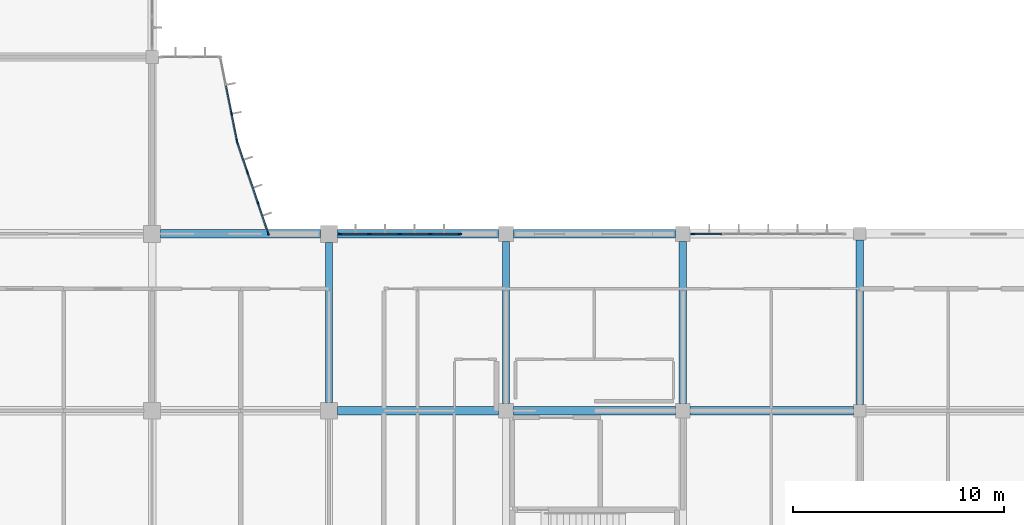
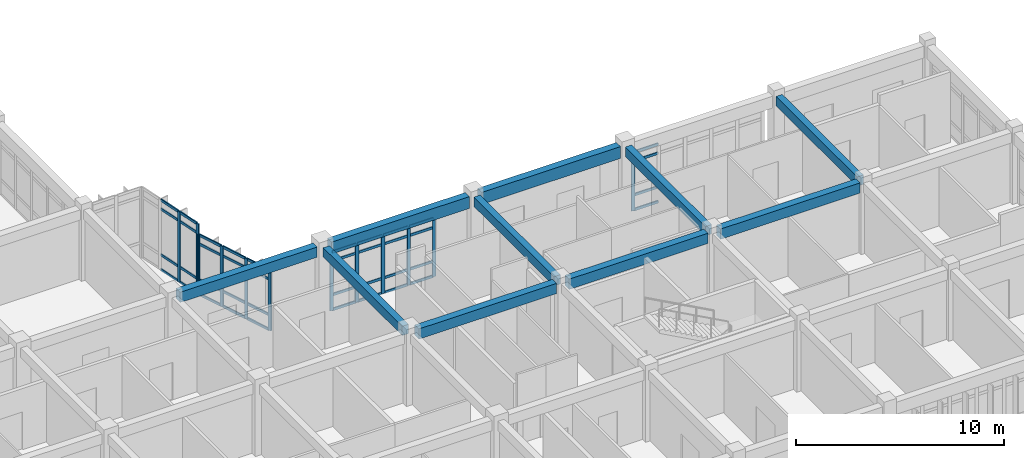
# One storey, part 59 of 144: 52 members, 10 beams, 4 elements without a shape of their own.
"""IFC4 building model written with IfcOpenShell, lengths in metres."""

from ifc_helpers import new_model, si_unit, direction, frame, origin, origin_2d, place, context, subcontext, project, spatial, rectangle, extrude, material, layer, layer_set, material_profile, profile_set, type_object, element, aggregate, save


model = new_model("IFC4")

# Units and contexts
model_context = context("Model", 3, precision=1e-05, world=origin(), true_north=direction((0.0, 1.0)))
body_context = subcontext(model_context, "Body", "Model", "MODEL_VIEW")
ifc_project = project(units=[si_unit("LENGTHUNIT", "METRE"), si_unit("AREAUNIT", "SQUARE_METRE"), si_unit("VOLUMEUNIT", "CUBIC_METRE"), si_unit("PLANEANGLEUNIT", "RADIAN"), si_unit("MASSUNIT", "GRAM", prefix="KILO")], contexts=[model_context])

# Site, building, storey
site_placement = place(None, origin())
site = spatial("IfcSite", under=ifc_project, at=site_placement, CompositionType="ELEMENT")
building_placement = place(site_placement, origin())
building = spatial("IfcBuilding", under=site, at=building_placement, Name="Bramfleet General Hospital", CompositionType="ELEMENT")
storey_placement = place(building_placement, frame((0.0, 0.0, 4.800048828125)))
storey = spatial("IfcBuildingStorey", under=building, at=storey_placement, Name="L01", CompositionType="ELEMENT", Elevation=4.800048828125)

# Beams
ifc_material_1 = material(Name="Concrete C35/45", Category="concrete")
ifc_material_profile_1 = material_profile(ifc_material_1, rectangle(XDim=0.35009765625, YDim=0.550048828125, at=origin_2d()), Name="RC BM 550x350")
ifc_profile_set_1 = profile_set([ifc_material_profile_1], Name="Concrete C35/45")
beam_type_1 = type_object("IfcBeamType", Name="BM-RC550", PredefinedType="BEAM", material=ifc_profile_set_1)
beam_1_placement = place(storey_placement, frame((134.39990234375, 17.199951171875, 3.875), z_axis=(0.0, 1.0, 0.0), x_axis=(-1.0, 0.0, 0.0)))
element("IfcBeam", 1, at=beam_1_placement, inside=storey, type_object=beam_type_1, Name="L01 Grid Beam Y 16-02", PredefinedType="BEAM", context=body_context, shape_type="SweptSolid", body=[
    extrude(rectangle(XDim=0.35009765625, YDim=0.550048828125, at=origin_2d()), origin(), (0.0, 0.0, 1.0), 7.60009765625),
])
for number, where, z_axis, x_axis, name in (
    (2, (142.800048828125, 17.14990234375, 3.875), (0.0, 1.0, 0.0), (-1.0, 0.0, 0.0), "L01 Grid Beam Y 17-02"),
    (3, (151.199951171875, 17.14990234375, 3.875), (0.0, 1.0, 0.0), (-1.0, 0.0, 0.0), "L01 Grid Beam Y 18-02"),
):
    element("IfcBeam", number, at=place(storey_placement, frame(where, z_axis=z_axis, x_axis=x_axis)), inside=storey, type_object=beam_type_1, Name=name, PredefinedType="BEAM", context=body_context, shape_type="SweptSolid", body=[
        extrude(rectangle(XDim=0.35009765625, YDim=0.550048828125, at=origin_2d()), origin(), (0.0, 0.0, 1.0), 7.7001953125),
    ])
beam_2_placement = place(storey_placement, frame((159.60009765625, 17.10009765625, 3.875), z_axis=(0.0, 1.0, 0.0), x_axis=(-1.0, 0.0, 0.0)))
element("IfcBeam", 4, at=beam_2_placement, inside=storey, type_object=beam_type_1, Name="L01 Grid Beam Y 19-02", PredefinedType="BEAM", context=body_context, shape_type="SweptSolid", body=[
    extrude(rectangle(XDim=0.35009765625, YDim=0.550048828125, at=origin_2d()), origin(), (0.0, 0.0, 1.0), 7.7998046875),
])
ifc_material_profile_2 = material_profile(ifc_material_1, rectangle(XDim=0.39990234375, YDim=0.60009765625, at=origin_2d()), Name="RC BM 600x400")
ifc_profile_set_2 = profile_set([ifc_material_profile_2], Name="Concrete C35/45")
beam_type_2 = type_object("IfcBeamType", Name="BM-RC600", PredefinedType="BEAM", material=ifc_profile_set_2)
beam_3_placement = place(storey_placement, frame((126.39990234375, 25.199951171875, 3.849853515625), z_axis=(1.0, 0.0, 0.0), x_axis=(0.0, 1.0, 0.0)))
element("IfcBeam", 5, at=beam_3_placement, inside=storey, type_object=beam_type_2, Name="L01 Grid Beam X 15-03", PredefinedType="BEAM", context=body_context, shape_type="SweptSolid", body=[
    extrude(rectangle(XDim=0.39990234375, YDim=0.60009765625, at=origin_2d()), origin(), (0.0, 0.0, 1.0), 7.60009765625),
])
beam_4_placement = place(storey_placement, frame((134.800048828125, 16.800048828125, 3.849853515625), z_axis=(1.0, 0.0, 0.0), x_axis=(0.0, 1.0, 0.0)))
element("IfcBeam", 6, at=beam_4_placement, inside=storey, type_object=beam_type_2, Name="L01 Grid Beam X 16-02", PredefinedType="BEAM", context=body_context, shape_type="SweptSolid", body=[
    extrude(rectangle(XDim=0.39990234375, YDim=0.60009765625, at=origin_2d()), origin(), (0.0, 0.0, 1.0), 7.64990234375),
])
beam_5_placement = place(storey_placement, frame((143.14990234375, 16.800048828125, 3.849853515625), z_axis=(1.0, 0.0, 0.0), x_axis=(0.0, 1.0, 0.0)))
element("IfcBeam", 7, at=beam_5_placement, inside=storey, type_object=beam_type_2, Name="L01 Grid Beam X 17-02", PredefinedType="BEAM", context=body_context, shape_type="SweptSolid", body=[
    extrude(rectangle(XDim=0.39990234375, YDim=0.60009765625, at=origin_2d()), origin(), (0.0, 0.0, 1.0), 7.7001953125),
])
beam_6_placement = place(storey_placement, frame((151.550048828125, 16.800048828125, 3.849853515625), z_axis=(1.0, 0.0, 0.0), x_axis=(0.0, 1.0, 0.0)))
element("IfcBeam", 8, at=beam_6_placement, inside=storey, type_object=beam_type_2, Name="L01 Grid Beam X 18-02", PredefinedType="BEAM", context=body_context, shape_type="SweptSolid", body=[
    extrude(rectangle(XDim=0.39990234375, YDim=0.60009765625, at=origin_2d()), origin(), (0.0, 0.0, 1.0), 7.75),
])
ifc_material_profile_3 = material_profile(ifc_material_1, rectangle(XDim=0.39990234375, YDim=0.699951171875, at=origin_2d()), Name="RC SP 700x400")
ifc_profile_set_3 = profile_set([ifc_material_profile_3], Name="Concrete C35/45")
beam_type_3 = type_object("IfcBeamType", Name="BM-SP700", PredefinedType="SPANDREL", material=ifc_profile_set_3)
beam_7_placement = place(storey_placement, frame((134.800048828125, 25.199951171875, 3.800048828125), z_axis=(1.0, 0.0, 0.0), x_axis=(0.0, 1.0, 0.0)))
element("IfcBeam", 9, at=beam_7_placement, inside=storey, type_object=beam_type_3, Name="L01 Grid Beam X 16-03", PredefinedType="SPANDREL", context=body_context, shape_type="SweptSolid", body=[
    extrude(rectangle(XDim=0.39990234375, YDim=0.699951171875, at=origin_2d()), origin(), (0.0, 0.0, 1.0), 7.64990234375),
])
beam_8_placement = place(storey_placement, frame((143.14990234375, 25.199951171875, 3.800048828125), z_axis=(1.0, 0.0, 0.0), x_axis=(0.0, 1.0, 0.0)))
element("IfcBeam", 10, at=beam_8_placement, inside=storey, type_object=beam_type_3, Name="L01 Grid Beam X 17-03", PredefinedType="SPANDREL", context=body_context, shape_type="SweptSolid", body=[
    extrude(rectangle(XDim=0.39990234375, YDim=0.699951171875, at=origin_2d()), origin(), (0.0, 0.0, 1.0), 7.7001953125),
])

# Curtain wall, members
ifc_material_2 = material(Name="Anodised aluminium and low-E triple glazing", Category="aluminium")
ifc_layer_1 = layer(ifc_material_2, 0.179931640625, Name="CWT-CW-12")
ifc_layer_set_1 = layer_set([ifc_layer_1], Name="Anodised aluminium and low-E triple glazing")
curtain_wall_type_1 = type_object("IfcCurtainWallType", Name="CWT-CW-12", PredefinedType="USERDEFINED", material=ifc_layer_set_1)
curtain_wall_1_placement = place(storey_placement, origin())
curtain_wall_1 = element("IfcCurtainWall", 11, at=curtain_wall_1_placement, inside=storey, type_object=curtain_wall_type_1, Name="L01 Curtain Wall 66", ObjectType="Stick curtain wall", PredefinedType="USERDEFINED")
ifc_material_3 = material(Name="Structural timber GL28h", Category="wood")
ifc_material_profile_4 = material_profile(ifc_material_3, rectangle(XDim=0.070068359375, YDim=0.18994140625, at=origin_2d()), Name="LARCH 190x70")
ifc_profile_set_4 = profile_set([ifc_material_profile_4], Name="Structural timber GL28h")
member_type_1 = type_object("IfcMemberType", Name="CWM-LARCH450", PredefinedType="MULLION", material=ifc_profile_set_4)
member_1_placement = place(storey_placement, frame((129.76904296875, 30.91796875, 0.0), z_axis=(0.0, 0.0, 1.0), x_axis=(0.980749087161, 0.195272189606, 0.0)))
member_1 = element("IfcMember", 12, at=member_1_placement, type_object=member_type_1, Name="CW-12 mullion 3", PredefinedType="MULLION", context=body_context, shape_type="SweptSolid", body=[
    extrude(rectangle(XDim=0.070068359375, YDim=0.18994140625, at=origin_2d()), origin(), (0.0, 0.0, 1.0), 4.139892578125),
])
member_2_placement = place(storey_placement, frame((130.029052734375, 29.611328125, 0.0), z_axis=(0.0, 0.0, 1.0), x_axis=(0.980749087161, 0.195272189606, 0.0)))
member_2 = element("IfcMember", 13, at=member_2_placement, type_object=member_type_1, Name="CW-12 mullion 4", PredefinedType="MULLION", context=body_context, shape_type="SweptSolid", body=[
    extrude(rectangle(XDim=0.070068359375, YDim=0.18994140625, at=origin_2d()), origin(), (0.0, 0.0, 1.0), 4.139892578125),
])

ifc_layer_2 = layer(ifc_material_2, 0.179931640625, Name="CWT-CW-13")
ifc_layer_set_2 = layer_set([ifc_layer_2], Name="Anodised aluminium and low-E triple glazing")
curtain_wall_type_2 = type_object("IfcCurtainWallType", Name="CWT-CW-13", PredefinedType="USERDEFINED", material=ifc_layer_set_2)
curtain_wall_2_placement = place(storey_placement, origin())
curtain_wall_2 = element("IfcCurtainWall", 14, at=curtain_wall_2_placement, inside=storey, type_object=curtain_wall_type_2, Name="L01 Curtain Wall 67", ObjectType="Stick curtain wall", PredefinedType="USERDEFINED")
member_3_placement = place(storey_placement, frame((130.04736328125, 29.5439453125, 0.0), z_axis=(0.0, 0.0, 1.0), x_axis=(0.94698222676, 0.321285950829, 0.0)))
member_3 = element("IfcMember", 15, at=member_3_placement, type_object=member_type_1, Name="CW-13 mullion 1", PredefinedType="MULLION", context=body_context, shape_type="SweptSolid", body=[
    extrude(rectangle(XDim=0.070068359375, YDim=0.18994140625, at=origin_2d()), origin(), (0.0, 0.0, 1.0), 3.5400390625),
])
member_4_placement = place(storey_placement, frame((130.531005859375, 28.117919921875, 0.0), z_axis=(0.0, 0.0, 1.0), x_axis=(0.94698222676, 0.321285950829, 0.0)))
member_4 = element("IfcMember", 16, at=member_4_placement, type_object=member_type_1, Name="CW-13 mullion 2", PredefinedType="MULLION", context=body_context, shape_type="SweptSolid", body=[
    extrude(rectangle(XDim=0.070068359375, YDim=0.18994140625, at=origin_2d()), origin(), (0.0, 0.0, 1.0), 3.5400390625),
])
member_5_placement = place(storey_placement, frame((131.02587890625, 26.658935546875, 0.0), z_axis=(0.0, 0.0, 1.0), x_axis=(0.94698222676, 0.321285950829, 0.0)))
member_5 = element("IfcMember", 17, at=member_5_placement, type_object=member_type_1, Name="CW-13 mullion 3", PredefinedType="MULLION", context=body_context, shape_type="SweptSolid", body=[
    extrude(rectangle(XDim=0.070068359375, YDim=0.18994140625, at=origin_2d()), origin(), (0.0, 0.0, 1.0), 3.5400390625),
])
member_6_placement = place(storey_placement, frame((131.509765625, 25.233154296875, 0.0), z_axis=(0.0, 0.0, 1.0), x_axis=(0.94698222676, 0.321285950829, 0.0)))
member_6 = element("IfcMember", 18, at=member_6_placement, type_object=member_type_1, Name="CW-13 mullion 4", PredefinedType="MULLION", context=body_context, shape_type="SweptSolid", body=[
    extrude(rectangle(XDim=0.070068359375, YDim=0.18994140625, at=origin_2d()), origin(), (0.0, 0.0, 1.0), 3.5400390625),
])

ifc_layer_3 = layer(ifc_material_2, 0.179931640625, Name="CWT-CW-14")
ifc_layer_set_3 = layer_set([ifc_layer_3], Name="Anodised aluminium and low-E triple glazing")
curtain_wall_type_3 = type_object("IfcCurtainWallType", Name="CWT-CW-14", PredefinedType="USERDEFINED", material=ifc_layer_set_3)
curtain_wall_3_placement = place(storey_placement, origin())
curtain_wall_3 = element("IfcCurtainWall", 19, at=curtain_wall_3_placement, inside=storey, type_object=curtain_wall_type_3, Name="L01 Curtain Wall 68", ObjectType="Stick curtain wall", PredefinedType="USERDEFINED")
member_7_placement = place(storey_placement, frame((134.909912109375, 25.199951171875, 0.0), z_axis=(0.0, 0.0, 1.0), x_axis=(0.0, 1.0, 0.0)))
member_7 = element("IfcMember", 20, at=member_7_placement, type_object=member_type_1, Name="CW-14 mullion 1", PredefinedType="MULLION", context=body_context, shape_type="SweptSolid", body=[
    extrude(rectangle(XDim=0.070068359375, YDim=0.18994140625, at=origin_2d()), origin(), (0.0, 0.0, 1.0), 3.43994140625),
])
member_8_placement = place(storey_placement, frame((136.31640625, 25.199951171875, 0.0), z_axis=(0.0, 0.0, 1.0), x_axis=(0.0, 1.0, 0.0)))
member_8 = element("IfcMember", 21, at=member_8_placement, type_object=member_type_1, Name="CW-14 mullion 2", PredefinedType="MULLION", context=body_context, shape_type="SweptSolid", body=[
    extrude(rectangle(XDim=0.070068359375, YDim=0.18994140625, at=origin_2d()), origin(), (0.0, 0.0, 1.0), 3.43994140625),
])
member_9_placement = place(storey_placement, frame((137.758056640625, 25.199951171875, 0.0), z_axis=(0.0, 0.0, 1.0), x_axis=(0.0, 1.0, 0.0)))
member_9 = element("IfcMember", 22, at=member_9_placement, type_object=member_type_1, Name="CW-14 mullion 3", PredefinedType="MULLION", context=body_context, shape_type="SweptSolid", body=[
    extrude(rectangle(XDim=0.070068359375, YDim=0.18994140625, at=origin_2d()), origin(), (0.0, 0.0, 1.0), 3.43994140625),
])
member_10_placement = place(storey_placement, frame((139.199462890625, 25.199951171875, 0.0), z_axis=(0.0, 0.0, 1.0), x_axis=(0.0, 1.0, 0.0)))
member_10 = element("IfcMember", 23, at=member_10_placement, type_object=member_type_1, Name="CW-14 mullion 4", PredefinedType="MULLION", context=body_context, shape_type="SweptSolid", body=[
    extrude(rectangle(XDim=0.070068359375, YDim=0.18994140625, at=origin_2d()), origin(), (0.0, 0.0, 1.0), 3.43994140625),
])
member_11_placement = place(storey_placement, frame((140.60595703125, 25.199951171875, 0.0), z_axis=(0.0, 0.0, 1.0), x_axis=(0.0, 1.0, 0.0)))
member_11 = element("IfcMember", 24, at=member_11_placement, type_object=member_type_1, Name="CW-14 mullion 5", PredefinedType="MULLION", context=body_context, shape_type="SweptSolid", body=[
    extrude(rectangle(XDim=0.070068359375, YDim=0.18994140625, at=origin_2d()), origin(), (0.0, 0.0, 1.0), 3.43994140625),
])

# Curtain wall, member
ifc_layer_4 = layer(ifc_material_2, 0.179931640625, Name="CWT-CW-15")
ifc_layer_set_4 = layer_set([ifc_layer_4], Name="Anodised aluminium and low-E triple glazing")
curtain_wall_type_4 = type_object("IfcCurtainWallType", Name="CWT-CW-15", PredefinedType="USERDEFINED", material=ifc_layer_set_4)
curtain_wall_4_placement = place(storey_placement, origin())
curtain_wall_4 = element("IfcCurtainWall", 25, at=curtain_wall_4_placement, inside=storey, type_object=curtain_wall_type_4, Name="L01 Curtain Wall 69", ObjectType="Stick curtain wall", PredefinedType="USERDEFINED")
member_12_placement = place(storey_placement, frame((151.659912109375, 25.199951171875, 0.0), z_axis=(0.0, 0.0, 1.0), x_axis=(0.0, 1.0, 0.0)))
member_12 = element("IfcMember", 26, at=member_12_placement, type_object=member_type_1, Name="CW-15 mullion 1", PredefinedType="MULLION", context=body_context, shape_type="SweptSolid", body=[
    extrude(rectangle(XDim=0.070068359375, YDim=0.18994140625, at=origin_2d()), origin(), (0.0, 0.0, 1.0), 3.43994140625),
])

# Member
ifc_material_profile_5 = material_profile(ifc_material_3, rectangle(XDim=0.06494140625, YDim=0.14990234375, at=origin_2d()), Name="LARCH 150x65")
ifc_profile_set_5 = profile_set([ifc_material_profile_5], Name="Structural timber GL28h")
member_type_2 = type_object("IfcMemberType", Name="CWT-LARCH220", PredefinedType="USERDEFINED", material=ifc_profile_set_5)
member_13_placement = place(storey_placement, frame((129.5087890625, 32.224609375, 0.032470703125), z_axis=(0.195356020565, -0.98073239226, 0.0), x_axis=(0.98073239226, 0.195356020565, 0.0)))
member_13 = element("IfcMember", 27, at=member_13_placement, type_object=member_type_2, Name="CW-12 transom 2.1", ObjectType="TRANSOM", PredefinedType="USERDEFINED", context=body_context, shape_type="SweptSolid", body=[
    extrude(rectangle(XDim=0.06494140625, YDim=0.14990234375, at=origin_2d()), origin(), (0.0, 0.0, 1.0), 1.297119140625),
])

member_14_placement = place(storey_placement, frame((129.5087890625, 32.224609375, 0.89990234375), z_axis=(0.195356020565, -0.98073239226, 0.0), x_axis=(0.98073239226, 0.195356020565, 0.0)))
member_14 = element("IfcMember", 28, at=member_14_placement, type_object=member_type_2, Name="CW-12 transom 2.2", ObjectType="TRANSOM", PredefinedType="USERDEFINED", context=body_context, shape_type="SweptSolid", body=[
    extrude(rectangle(XDim=0.06494140625, YDim=0.14990234375, at=origin_2d()), origin(), (0.0, 0.0, 1.0), 1.297119140625),
])

member_15_placement = place(storey_placement, frame((129.5087890625, 32.224609375, 3.58984375), z_axis=(0.195356020565, -0.98073239226, 0.0), x_axis=(0.98073239226, 0.195356020565, 0.0)))
member_15 = element("IfcMember", 29, at=member_15_placement, type_object=member_type_2, Name="CW-12 transom 2.3", ObjectType="TRANSOM", PredefinedType="USERDEFINED", context=body_context, shape_type="SweptSolid", body=[
    extrude(rectangle(XDim=0.06494140625, YDim=0.14990234375, at=origin_2d()), origin(), (0.0, 0.0, 1.0), 1.297119140625),
])

member_16_placement = place(storey_placement, frame((129.5087890625, 32.224609375, 4.107421875), z_axis=(0.195356020565, -0.98073239226, 0.0), x_axis=(0.98073239226, 0.195356020565, 0.0)))
member_16 = element("IfcMember", 30, at=member_16_placement, type_object=member_type_2, Name="CW-12 transom 2.4", ObjectType="TRANSOM", PredefinedType="USERDEFINED", context=body_context, shape_type="SweptSolid", body=[
    extrude(rectangle(XDim=0.06494140625, YDim=0.14990234375, at=origin_2d()), origin(), (0.0, 0.0, 1.0), 1.297119140625),
])

member_17_placement = place(storey_placement, frame((129.77587890625, 30.8837890625, 0.032470703125), z_axis=(0.195148998153, -0.980773607169, 0.0), x_axis=(0.980773607169, 0.195148998153, 0.0)))
member_17 = element("IfcMember", 31, at=member_17_placement, type_object=member_type_2, Name="CW-12 transom 3.1", ObjectType="TRANSOM", PredefinedType="USERDEFINED", context=body_context, shape_type="SweptSolid", body=[
    extrude(rectangle(XDim=0.06494140625, YDim=0.14990234375, at=origin_2d()), origin(), (0.0, 0.0, 1.0), 1.26220703125),
])

member_18_placement = place(storey_placement, frame((129.77587890625, 30.8837890625, 0.89990234375), z_axis=(0.195148998153, -0.980773607169, 0.0), x_axis=(0.980773607169, 0.195148998153, 0.0)))
member_18 = element("IfcMember", 32, at=member_18_placement, type_object=member_type_2, Name="CW-12 transom 3.2", ObjectType="TRANSOM", PredefinedType="USERDEFINED", context=body_context, shape_type="SweptSolid", body=[
    extrude(rectangle(XDim=0.06494140625, YDim=0.14990234375, at=origin_2d()), origin(), (0.0, 0.0, 1.0), 1.26220703125),
])

member_19_placement = place(storey_placement, frame((129.77587890625, 30.8837890625, 3.58984375), z_axis=(0.195148998153, -0.980773607169, 0.0), x_axis=(0.980773607169, 0.195148998153, 0.0)))
member_19 = element("IfcMember", 33, at=member_19_placement, type_object=member_type_2, Name="CW-12 transom 3.3", ObjectType="TRANSOM", PredefinedType="USERDEFINED", context=body_context, shape_type="SweptSolid", body=[
    extrude(rectangle(XDim=0.06494140625, YDim=0.14990234375, at=origin_2d()), origin(), (0.0, 0.0, 1.0), 1.26220703125),
])

member_20_placement = place(storey_placement, frame((129.77587890625, 30.8837890625, 4.107421875), z_axis=(0.195148998153, -0.980773607169, 0.0), x_axis=(0.980773607169, 0.195148998153, 0.0)))
member_20 = element("IfcMember", 34, at=member_20_placement, type_object=member_type_2, Name="CW-12 transom 3.4", ObjectType="TRANSOM", PredefinedType="USERDEFINED", context=body_context, shape_type="SweptSolid", body=[
    extrude(rectangle(XDim=0.06494140625, YDim=0.14990234375, at=origin_2d()), origin(), (0.0, 0.0, 1.0), 1.26220703125),
])

aggregate(curtain_wall_1, [member_1, member_2, member_13, member_14, member_15, member_16, member_17, member_18, member_19, member_20])

member_21_placement = place(storey_placement, frame((130.05859375, 29.5107421875, 0.032470703125), z_axis=(0.321222819533, -0.947003643188, 0.0), x_axis=(0.947003643188, 0.321222819533, 0.0)))
member_21 = element("IfcMember", 35, at=member_21_placement, type_object=member_type_2, Name="CW-13 transom 1.1", ObjectType="TRANSOM", PredefinedType="USERDEFINED", context=body_context, shape_type="SweptSolid", body=[
    extrude(rectangle(XDim=0.06494140625, YDim=0.14990234375, at=origin_2d()), origin(), (0.0, 0.0, 1.0), 1.435791015625),
])

member_22_placement = place(storey_placement, frame((130.05859375, 29.5107421875, 0.89990234375), z_axis=(0.321222819533, -0.947003643188, 0.0), x_axis=(0.947003643188, 0.321222819533, 0.0)))
member_22 = element("IfcMember", 36, at=member_22_placement, type_object=member_type_2, Name="CW-13 transom 1.2", ObjectType="TRANSOM", PredefinedType="USERDEFINED", context=body_context, shape_type="SweptSolid", body=[
    extrude(rectangle(XDim=0.06494140625, YDim=0.14990234375, at=origin_2d()), origin(), (0.0, 0.0, 1.0), 1.435791015625),
])

member_23_placement = place(storey_placement, frame((130.05859375, 29.5107421875, 2.989990234375), z_axis=(0.321222819533, -0.947003643188, 0.0), x_axis=(0.947003643188, 0.321222819533, 0.0)))
member_23 = element("IfcMember", 37, at=member_23_placement, type_object=member_type_2, Name="CW-13 transom 1.3", ObjectType="TRANSOM", PredefinedType="USERDEFINED", context=body_context, shape_type="SweptSolid", body=[
    extrude(rectangle(XDim=0.06494140625, YDim=0.14990234375, at=origin_2d()), origin(), (0.0, 0.0, 1.0), 1.435791015625),
])

member_24_placement = place(storey_placement, frame((130.05859375, 29.5107421875, 3.507568359375), z_axis=(0.321222819533, -0.947003643188, 0.0), x_axis=(0.947003643188, 0.321222819533, 0.0)))
member_24 = element("IfcMember", 38, at=member_24_placement, type_object=member_type_2, Name="CW-13 transom 1.4", ObjectType="TRANSOM", PredefinedType="USERDEFINED", context=body_context, shape_type="SweptSolid", body=[
    extrude(rectangle(XDim=0.06494140625, YDim=0.14990234375, at=origin_2d()), origin(), (0.0, 0.0, 1.0), 1.435791015625),
])

member_25_placement = place(storey_placement, frame((130.542236328125, 28.0849609375, 0.032470703125), z_axis=(0.32120330539, -0.947010262144, 0.0), x_axis=(0.947010262144, 0.32120330539, 0.0)))
member_25 = element("IfcMember", 39, at=member_25_placement, type_object=member_type_2, Name="CW-13 transom 2.1", ObjectType="TRANSOM", PredefinedType="USERDEFINED", context=body_context, shape_type="SweptSolid", body=[
    extrude(rectangle(XDim=0.06494140625, YDim=0.14990234375, at=origin_2d()), origin(), (0.0, 0.0, 1.0), 1.470703125),
])

member_26_placement = place(storey_placement, frame((130.542236328125, 28.0849609375, 0.89990234375), z_axis=(0.32120330539, -0.947010262144, 0.0), x_axis=(0.947010262144, 0.32120330539, 0.0)))
member_26 = element("IfcMember", 40, at=member_26_placement, type_object=member_type_2, Name="CW-13 transom 2.2", ObjectType="TRANSOM", PredefinedType="USERDEFINED", context=body_context, shape_type="SweptSolid", body=[
    extrude(rectangle(XDim=0.06494140625, YDim=0.14990234375, at=origin_2d()), origin(), (0.0, 0.0, 1.0), 1.470703125),
])

member_27_placement = place(storey_placement, frame((130.542236328125, 28.0849609375, 2.989990234375), z_axis=(0.32120330539, -0.947010262144, 0.0), x_axis=(0.947010262144, 0.32120330539, 0.0)))
member_27 = element("IfcMember", 41, at=member_27_placement, type_object=member_type_2, Name="CW-13 transom 2.3", ObjectType="TRANSOM", PredefinedType="USERDEFINED", context=body_context, shape_type="SweptSolid", body=[
    extrude(rectangle(XDim=0.06494140625, YDim=0.14990234375, at=origin_2d()), origin(), (0.0, 0.0, 1.0), 1.470703125),
])

member_28_placement = place(storey_placement, frame((130.542236328125, 28.0849609375, 3.507568359375), z_axis=(0.32120330539, -0.947010262144, 0.0), x_axis=(0.947010262144, 0.32120330539, 0.0)))
member_28 = element("IfcMember", 42, at=member_28_placement, type_object=member_type_2, Name="CW-13 transom 2.4", ObjectType="TRANSOM", PredefinedType="USERDEFINED", context=body_context, shape_type="SweptSolid", body=[
    extrude(rectangle(XDim=0.06494140625, YDim=0.14990234375, at=origin_2d()), origin(), (0.0, 0.0, 1.0), 1.470703125),
])

member_29_placement = place(storey_placement, frame((131.037353515625, 26.6259765625, 0.032470703125), z_axis=(0.321222819533, -0.947003643188, 0.0), x_axis=(0.947003643188, 0.321222819533, 0.0)))
member_29 = element("IfcMember", 43, at=member_29_placement, type_object=member_type_2, Name="CW-13 transom 3.1", ObjectType="TRANSOM", PredefinedType="USERDEFINED", context=body_context, shape_type="SweptSolid", body=[
    extrude(rectangle(XDim=0.06494140625, YDim=0.14990234375, at=origin_2d()), origin(), (0.0, 0.0, 1.0), 1.435791015625),
])

member_30_placement = place(storey_placement, frame((131.037353515625, 26.6259765625, 0.89990234375), z_axis=(0.321222819533, -0.947003643188, 0.0), x_axis=(0.947003643188, 0.321222819533, 0.0)))
member_30 = element("IfcMember", 44, at=member_30_placement, type_object=member_type_2, Name="CW-13 transom 3.2", ObjectType="TRANSOM", PredefinedType="USERDEFINED", context=body_context, shape_type="SweptSolid", body=[
    extrude(rectangle(XDim=0.06494140625, YDim=0.14990234375, at=origin_2d()), origin(), (0.0, 0.0, 1.0), 1.435791015625),
])

member_31_placement = place(storey_placement, frame((131.037353515625, 26.6259765625, 2.989990234375), z_axis=(0.321222819533, -0.947003643188, 0.0), x_axis=(0.947003643188, 0.321222819533, 0.0)))
member_31 = element("IfcMember", 45, at=member_31_placement, type_object=member_type_2, Name="CW-13 transom 3.3", ObjectType="TRANSOM", PredefinedType="USERDEFINED", context=body_context, shape_type="SweptSolid", body=[
    extrude(rectangle(XDim=0.06494140625, YDim=0.14990234375, at=origin_2d()), origin(), (0.0, 0.0, 1.0), 1.435791015625),
])

member_32_placement = place(storey_placement, frame((131.037353515625, 26.6259765625, 3.507568359375), z_axis=(0.321222819533, -0.947003643188, 0.0), x_axis=(0.947003643188, 0.321222819533, 0.0)))
member_32 = element("IfcMember", 46, at=member_32_placement, type_object=member_type_2, Name="CW-13 transom 3.4", ObjectType="TRANSOM", PredefinedType="USERDEFINED", context=body_context, shape_type="SweptSolid", body=[
    extrude(rectangle(XDim=0.06494140625, YDim=0.14990234375, at=origin_2d()), origin(), (0.0, 0.0, 1.0), 1.435791015625),
])

aggregate(curtain_wall_2, [member_3, member_4, member_5, member_6, member_21, member_22, member_23, member_24, member_25, member_26, member_27, member_28, member_29, member_30, member_31, member_32])

member_33_placement = place(storey_placement, frame((134.945068359375, 25.199951171875, 0.032470703125), z_axis=(1.0, 0.0, 0.0), x_axis=(0.0, 1.0, 0.0)))
member_33 = element("IfcMember", 47, at=member_33_placement, type_object=member_type_2, Name="CW-14 transom 1.1", ObjectType="TRANSOM", PredefinedType="USERDEFINED", context=body_context, shape_type="SweptSolid", body=[
    extrude(rectangle(XDim=0.06494140625, YDim=0.14990234375, at=origin_2d()), origin(), (0.0, 0.0, 1.0), 1.33642578125),
])

member_34_placement = place(storey_placement, frame((134.945068359375, 25.199951171875, 0.89990234375), z_axis=(1.0, 0.0, 0.0), x_axis=(0.0, 1.0, 0.0)))
member_34 = element("IfcMember", 48, at=member_34_placement, type_object=member_type_2, Name="CW-14 transom 1.2", ObjectType="TRANSOM", PredefinedType="USERDEFINED", context=body_context, shape_type="SweptSolid", body=[
    extrude(rectangle(XDim=0.06494140625, YDim=0.14990234375, at=origin_2d()), origin(), (0.0, 0.0, 1.0), 1.33642578125),
])

member_35_placement = place(storey_placement, frame((134.945068359375, 25.199951171875, 2.889892578125), z_axis=(1.0, 0.0, 0.0), x_axis=(0.0, 1.0, 0.0)))
member_35 = element("IfcMember", 49, at=member_35_placement, type_object=member_type_2, Name="CW-14 transom 1.3", ObjectType="TRANSOM", PredefinedType="USERDEFINED", context=body_context, shape_type="SweptSolid", body=[
    extrude(rectangle(XDim=0.06494140625, YDim=0.14990234375, at=origin_2d()), origin(), (0.0, 0.0, 1.0), 1.33642578125),
])

member_36_placement = place(storey_placement, frame((134.945068359375, 25.199951171875, 3.407470703125), z_axis=(1.0, 0.0, 0.0), x_axis=(0.0, 1.0, 0.0)))
member_36 = element("IfcMember", 50, at=member_36_placement, type_object=member_type_2, Name="CW-14 transom 1.4", ObjectType="TRANSOM", PredefinedType="USERDEFINED", context=body_context, shape_type="SweptSolid", body=[
    extrude(rectangle(XDim=0.06494140625, YDim=0.14990234375, at=origin_2d()), origin(), (0.0, 0.0, 1.0), 1.33642578125),
])

member_37_placement = place(storey_placement, frame((136.3515625, 25.199951171875, 0.032470703125), z_axis=(1.0, 0.0, 0.0), x_axis=(0.0, 1.0, 0.0)))
member_37 = element("IfcMember", 51, at=member_37_placement, type_object=member_type_2, Name="CW-14 transom 2.1", ObjectType="TRANSOM", PredefinedType="USERDEFINED", context=body_context, shape_type="SweptSolid", body=[
    extrude(rectangle(XDim=0.06494140625, YDim=0.14990234375, at=origin_2d()), origin(), (0.0, 0.0, 1.0), 1.371337890625),
])

member_38_placement = place(storey_placement, frame((136.3515625, 25.199951171875, 0.89990234375), z_axis=(1.0, 0.0, 0.0), x_axis=(0.0, 1.0, 0.0)))
member_38 = element("IfcMember", 52, at=member_38_placement, type_object=member_type_2, Name="CW-14 transom 2.2", ObjectType="TRANSOM", PredefinedType="USERDEFINED", context=body_context, shape_type="SweptSolid", body=[
    extrude(rectangle(XDim=0.06494140625, YDim=0.14990234375, at=origin_2d()), origin(), (0.0, 0.0, 1.0), 1.371337890625),
])

member_39_placement = place(storey_placement, frame((136.3515625, 25.199951171875, 2.889892578125), z_axis=(1.0, 0.0, 0.0), x_axis=(0.0, 1.0, 0.0)))
member_39 = element("IfcMember", 53, at=member_39_placement, type_object=member_type_2, Name="CW-14 transom 2.3", ObjectType="TRANSOM", PredefinedType="USERDEFINED", context=body_context, shape_type="SweptSolid", body=[
    extrude(rectangle(XDim=0.06494140625, YDim=0.14990234375, at=origin_2d()), origin(), (0.0, 0.0, 1.0), 1.371337890625),
])

member_40_placement = place(storey_placement, frame((136.3515625, 25.199951171875, 3.407470703125), z_axis=(1.0, 0.0, 0.0), x_axis=(0.0, 1.0, 0.0)))
member_40 = element("IfcMember", 54, at=member_40_placement, type_object=member_type_2, Name="CW-14 transom 2.4", ObjectType="TRANSOM", PredefinedType="USERDEFINED", context=body_context, shape_type="SweptSolid", body=[
    extrude(rectangle(XDim=0.06494140625, YDim=0.14990234375, at=origin_2d()), origin(), (0.0, 0.0, 1.0), 1.371337890625),
])

member_41_placement = place(storey_placement, frame((137.79296875, 25.199951171875, 0.032470703125), z_axis=(1.0, 0.0, 0.0), x_axis=(0.0, 1.0, 0.0)))
member_41 = element("IfcMember", 55, at=member_41_placement, type_object=member_type_2, Name="CW-14 transom 3.1", ObjectType="TRANSOM", PredefinedType="USERDEFINED", context=body_context, shape_type="SweptSolid", body=[
    extrude(rectangle(XDim=0.06494140625, YDim=0.14990234375, at=origin_2d()), origin(), (0.0, 0.0, 1.0), 1.37158203125),
])

member_42_placement = place(storey_placement, frame((137.79296875, 25.199951171875, 0.89990234375), z_axis=(1.0, 0.0, 0.0), x_axis=(0.0, 1.0, 0.0)))
member_42 = element("IfcMember", 56, at=member_42_placement, type_object=member_type_2, Name="CW-14 transom 3.2", ObjectType="TRANSOM", PredefinedType="USERDEFINED", context=body_context, shape_type="SweptSolid", body=[
    extrude(rectangle(XDim=0.06494140625, YDim=0.14990234375, at=origin_2d()), origin(), (0.0, 0.0, 1.0), 1.37158203125),
])

member_43_placement = place(storey_placement, frame((137.79296875, 25.199951171875, 2.889892578125), z_axis=(1.0, 0.0, 0.0), x_axis=(0.0, 1.0, 0.0)))
member_43 = element("IfcMember", 57, at=member_43_placement, type_object=member_type_2, Name="CW-14 transom 3.3", ObjectType="TRANSOM", PredefinedType="USERDEFINED", context=body_context, shape_type="SweptSolid", body=[
    extrude(rectangle(XDim=0.06494140625, YDim=0.14990234375, at=origin_2d()), origin(), (0.0, 0.0, 1.0), 1.37158203125),
])

member_44_placement = place(storey_placement, frame((137.79296875, 25.199951171875, 3.407470703125), z_axis=(1.0, 0.0, 0.0), x_axis=(0.0, 1.0, 0.0)))
member_44 = element("IfcMember", 58, at=member_44_placement, type_object=member_type_2, Name="CW-14 transom 3.4", ObjectType="TRANSOM", PredefinedType="USERDEFINED", context=body_context, shape_type="SweptSolid", body=[
    extrude(rectangle(XDim=0.06494140625, YDim=0.14990234375, at=origin_2d()), origin(), (0.0, 0.0, 1.0), 1.37158203125),
])

member_45_placement = place(storey_placement, frame((139.234619140625, 25.199951171875, 0.032470703125), z_axis=(1.0, 0.0, 0.0), x_axis=(0.0, 1.0, 0.0)))
member_45 = element("IfcMember", 59, at=member_45_placement, type_object=member_type_2, Name="CW-14 transom 4.1", ObjectType="TRANSOM", PredefinedType="USERDEFINED", context=body_context, shape_type="SweptSolid", body=[
    extrude(rectangle(XDim=0.06494140625, YDim=0.14990234375, at=origin_2d()), origin(), (0.0, 0.0, 1.0), 1.33642578125),
])

member_46_placement = place(storey_placement, frame((139.234619140625, 25.199951171875, 0.89990234375), z_axis=(1.0, 0.0, 0.0), x_axis=(0.0, 1.0, 0.0)))
member_46 = element("IfcMember", 60, at=member_46_placement, type_object=member_type_2, Name="CW-14 transom 4.2", ObjectType="TRANSOM", PredefinedType="USERDEFINED", context=body_context, shape_type="SweptSolid", body=[
    extrude(rectangle(XDim=0.06494140625, YDim=0.14990234375, at=origin_2d()), origin(), (0.0, 0.0, 1.0), 1.33642578125),
])

member_47_placement = place(storey_placement, frame((139.234619140625, 25.199951171875, 2.889892578125), z_axis=(1.0, 0.0, 0.0), x_axis=(0.0, 1.0, 0.0)))
member_47 = element("IfcMember", 61, at=member_47_placement, type_object=member_type_2, Name="CW-14 transom 4.3", ObjectType="TRANSOM", PredefinedType="USERDEFINED", context=body_context, shape_type="SweptSolid", body=[
    extrude(rectangle(XDim=0.06494140625, YDim=0.14990234375, at=origin_2d()), origin(), (0.0, 0.0, 1.0), 1.33642578125),
])

member_48_placement = place(storey_placement, frame((139.234619140625, 25.199951171875, 3.407470703125), z_axis=(1.0, 0.0, 0.0), x_axis=(0.0, 1.0, 0.0)))
member_48 = element("IfcMember", 62, at=member_48_placement, type_object=member_type_2, Name="CW-14 transom 4.4", ObjectType="TRANSOM", PredefinedType="USERDEFINED", context=body_context, shape_type="SweptSolid", body=[
    extrude(rectangle(XDim=0.06494140625, YDim=0.14990234375, at=origin_2d()), origin(), (0.0, 0.0, 1.0), 1.33642578125),
])

aggregate(curtain_wall_3, [member_7, member_8, member_9, member_10, member_11, member_33, member_34, member_35, member_36, member_37, member_38, member_39, member_40, member_41, member_42, member_43, member_44, member_45, member_46, member_47, member_48])

member_49_placement = place(storey_placement, frame((151.695068359375, 25.199951171875, 0.032470703125), z_axis=(1.0, 0.0, 0.0), x_axis=(0.0, 1.0, 0.0)))
member_49 = element("IfcMember", 63, at=member_49_placement, type_object=member_type_2, Name="CW-15 transom 1.1", ObjectType="TRANSOM", PredefinedType="USERDEFINED", context=body_context, shape_type="SweptSolid", body=[
    extrude(rectangle(XDim=0.06494140625, YDim=0.14990234375, at=origin_2d()), origin(), (0.0, 0.0, 1.0), 1.345947265625),
])

member_50_placement = place(storey_placement, frame((151.695068359375, 25.199951171875, 0.89990234375), z_axis=(1.0, 0.0, 0.0), x_axis=(0.0, 1.0, 0.0)))
member_50 = element("IfcMember", 64, at=member_50_placement, type_object=member_type_2, Name="CW-15 transom 1.2", ObjectType="TRANSOM", PredefinedType="USERDEFINED", context=body_context, shape_type="SweptSolid", body=[
    extrude(rectangle(XDim=0.06494140625, YDim=0.14990234375, at=origin_2d()), origin(), (0.0, 0.0, 1.0), 1.345947265625),
])

member_51_placement = place(storey_placement, frame((151.695068359375, 25.199951171875, 2.889892578125), z_axis=(1.0, 0.0, 0.0), x_axis=(0.0, 1.0, 0.0)))
member_51 = element("IfcMember", 65, at=member_51_placement, type_object=member_type_2, Name="CW-15 transom 1.3", ObjectType="TRANSOM", PredefinedType="USERDEFINED", context=body_context, shape_type="SweptSolid", body=[
    extrude(rectangle(XDim=0.06494140625, YDim=0.14990234375, at=origin_2d()), origin(), (0.0, 0.0, 1.0), 1.345947265625),
])

member_52_placement = place(storey_placement, frame((151.695068359375, 25.199951171875, 3.407470703125), z_axis=(1.0, 0.0, 0.0), x_axis=(0.0, 1.0, 0.0)))
member_52 = element("IfcMember", 66, at=member_52_placement, type_object=member_type_2, Name="CW-15 transom 1.4", ObjectType="TRANSOM", PredefinedType="USERDEFINED", context=body_context, shape_type="SweptSolid", body=[
    extrude(rectangle(XDim=0.06494140625, YDim=0.14990234375, at=origin_2d()), origin(), (0.0, 0.0, 1.0), 1.345947265625),
])

aggregate(curtain_wall_4, [member_12, member_49, member_50, member_51, member_52])

save(model, "model.ifc")
